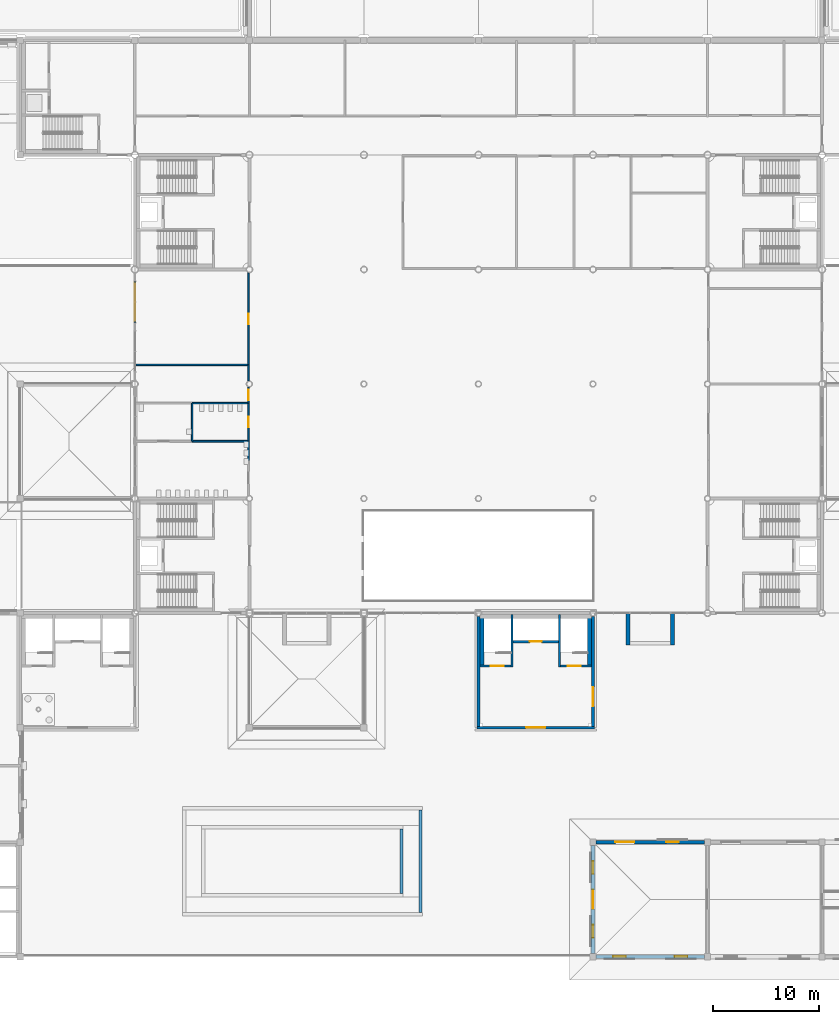
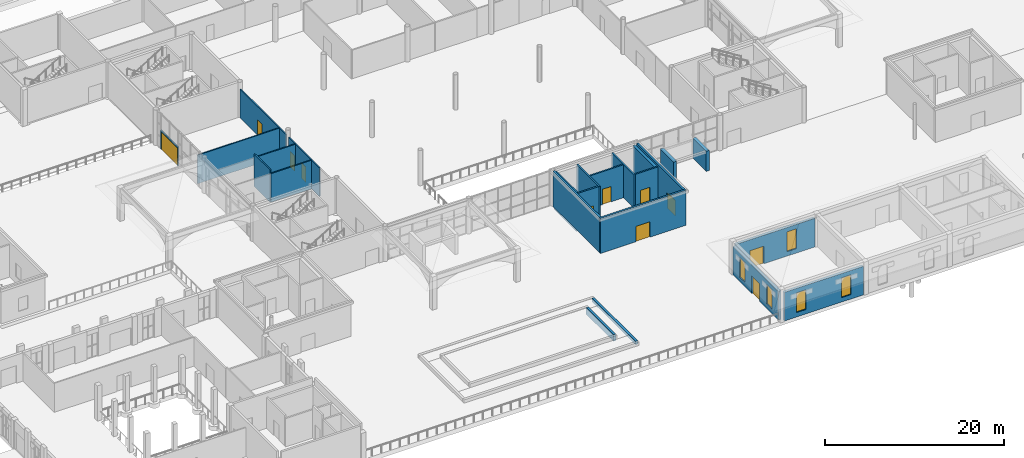
# One storey, part 47 of 91: 27 walls, 11 doors, 5 windows, 16 openings.
"""IFC4 building model written with IfcOpenShell, lengths in metres."""

from ifc_helpers import new_model, si_unit, direction, frame, frame_2d, origin, place, context, subcontext, project, spatial, rectangle, extrude, material, layer, layer_set, type_object, element, fill, save


model = new_model("IFC4")

# Units and contexts
model_context = context("Model", 3, precision=1e-05, world=origin(), true_north=direction((0.0, 1.0)))
body_context = subcontext(model_context, "Body", "Model", "MODEL_VIEW")
ifc_project = project(units=[si_unit("LENGTHUNIT", "METRE"), si_unit("AREAUNIT", "SQUARE_METRE"), si_unit("VOLUMEUNIT", "CUBIC_METRE"), si_unit("PLANEANGLEUNIT", "RADIAN"), si_unit("MASSUNIT", "GRAM", prefix="KILO")], contexts=[model_context])

# Site, building, storey
site_placement = place(None, origin())
site = spatial("IfcSite", under=ifc_project, at=site_placement, CompositionType="ELEMENT")
building_placement = place(site_placement, origin())
building = spatial("IfcBuilding", under=site, at=building_placement, Name="Magnolia Steps Interchange", CompositionType="ELEMENT")
storey_placement = place(building_placement, origin())
storey = spatial("IfcBuildingStorey", under=building, at=storey_placement, Name="L00", CompositionType="ELEMENT", Elevation=0.0)

# Wall, opening, door
ifc_material_1 = material(Name="Concrete C35", Category="concrete")
ifc_layer_1 = layer(ifc_material_1, 0.199951171875)
ifc_layer_set_1 = layer_set([ifc_layer_1], Name="Core enclosure wall 200")
wall_type_1 = type_object("IfcWallType", Name="Core enclosure wall 200", PredefinedType="SOLIDWALL", material=ifc_layer_set_1)
wall_1_placement = place(storey_placement, frame((85.72509765625, 37.39990234375, 0.0), z_axis=(0.0, 0.0, 1.0), x_axis=(1.0, 0.0, 0.0)))
wall_1 = element("IfcWall", 1, at=wall_1_placement, inside=storey, type_object=wall_type_1, Name="L00 BC2 enclosure wall", PredefinedType="SOLIDWALL", context=body_context, shape_type="SweptSolid", body=[
    extrude(rectangle(XDim=2.9248046875, YDim=0.199951171875, at=frame_2d((1.46240234375, 0.0))), origin(), (0.0, 0.0, 1.0), 4.5),
])
opening_1_placement = place(wall_1_placement, frame((1.050048828125, 0.0, 0.0)))
opening_1 = element("IfcOpeningElement", 2, at=opening_1_placement, cuts=wall_1, Name="Opening D-BC2-L00-1", PredefinedType="OPENING", context=body_context, shape_type="SweptSolid", body=[
    extrude(rectangle(XDim=1.199951171875, YDim=2.10009765625, at=frame_2d((0.60009765625, 1.050048828125))), frame((0.0, 0.10986328125, 0.0), z_axis=(0.0, -1.0, 0.0), x_axis=(1.0, 0.0, 0.0)), (0.0, 0.0, 1.0), 0.219970703125),
])
ifc_material_2 = material(Name="Painted steel", Category="steel")
door_type_1 = type_object("IfcDoorType", Name="Stair fire door 1200x2100", OperationType="NOTDEFINED", PredefinedType="DOOR", material=ifc_material_2)
door_1_placement = place(opening_1_placement, frame((1.199951171875, 0.0, 0.0), z_axis=(0.0, 0.0, 1.0), x_axis=(-1.0, 0.0, 0.0)))
door_1 = element("IfcDoor", 3, at=door_1_placement, inside=storey, type_object=door_type_1, Name="Stair door ST19 L00", OperationType="SINGLE_SWING_LEFT", OverallHeight=2.10009765625, OverallWidth=1.199951171875, PredefinedType="DOOR", context=body_context, shape_type="SweptSolid", body=[
    extrude(rectangle(XDim=1.199951171875, YDim=2.10009765625, at=frame_2d((0.60009765625, 1.050048828125))), frame((0.0, 0.02490234375, 0.0), z_axis=(0.0, -1.0, 0.0), x_axis=(1.0, 0.0, 0.0)), (0.0, 0.0, 1.0), 0.050048828125),
])
fill(opening_1, door_1)

# Wall
wall_2_placement = place(storey_placement, frame((88.75, 37.300048828125, 0.0), z_axis=(0.0, 0.0, 1.0), x_axis=(0.0, 1.0, 0.0)))
element("IfcWall", 4, at=wall_2_placement, inside=storey, type_object=wall_type_1, Name="L00 BC2 enclosure wall", PredefinedType="SOLIDWALL", context=body_context, shape_type="SweptSolid", body=[
    extrude(rectangle(XDim=4.974853515625, YDim=0.199951171875, at=frame_2d((2.4873046875, 0.0))), origin(), (0.0, 0.0, 1.0), 4.5),
])

# Wall, opening, door
wall_3_placement = place(storey_placement, frame((88.85009765625, 39.699951171875, 0.0), z_axis=(0.0, 0.0, 1.0), x_axis=(1.0, 0.0, 0.0)))
wall_3 = element("IfcWall", 5, at=wall_3_placement, inside=storey, type_object=wall_type_1, Name="L00 BC2 enclosure wall", PredefinedType="SOLIDWALL", context=body_context, shape_type="SweptSolid", body=[
    extrude(rectangle(XDim=4.2998046875, YDim=0.199951171875, at=frame_2d((2.14990234375, 0.0))), origin(), (0.0, 0.0, 1.0), 4.5),
])
opening_2_placement = place(wall_3_placement, frame((1.60009765625, 0.0, 0.0)))
opening_2 = element("IfcOpeningElement", 6, at=opening_2_placement, cuts=wall_3, Name="Opening LD", PredefinedType="OPENING", context=body_context, shape_type="SweptSolid", body=[
    extrude(rectangle(XDim=1.10009765625, YDim=2.10009765625, at=frame_2d((0.550048828125, 1.050048828125))), frame((0.0, 0.10986328125, 0.0), z_axis=(0.0, -1.0, 0.0), x_axis=(1.0, 0.0, 0.0)), (0.0, 0.0, 1.0), 0.219970703125),
])
ifc_material_3 = material(Name="Stainless steel grade 304", Category="steel")
door_type_2 = type_object("IfcDoorType", Name="Lift landing door 1100x2100", OperationType="DOUBLE_DOOR_SLIDING", PredefinedType="DOOR", material=ifc_material_3)
door_2_placement = place(opening_2_placement, frame((1.10009765625, 0.0, 0.0), z_axis=(0.0, 0.0, 1.0), x_axis=(-1.0, 0.0, 0.0)))
door_2 = element("IfcDoor", 7, at=door_2_placement, inside=storey, type_object=door_type_2, Name="Lift landing door LF9 L00", OperationType="DOUBLE_DOOR_SLIDING", OverallHeight=2.10009765625, OverallWidth=1.10009765625, PredefinedType="DOOR", context=body_context, shape_type="SweptSolid", body=[
    extrude(rectangle(XDim=1.10009765625, YDim=2.10009765625, at=frame_2d((0.550048828125, 1.050048828125))), frame((0.0, 0.02490234375, 0.0), z_axis=(0.0, -1.0, 0.0), x_axis=(1.0, 0.0, 0.0)), (0.0, 0.0, 1.0), 0.050048828125),
])
fill(opening_2, door_2)

# Wall
wall_4_placement = place(storey_placement, frame((93.25, 37.300048828125, 0.0), z_axis=(0.0, 0.0, 1.0), x_axis=(0.0, 1.0, 0.0)))
element("IfcWall", 8, at=wall_4_placement, inside=storey, type_object=wall_type_1, Name="L00 BC2 enclosure wall", PredefinedType="SOLIDWALL", context=body_context, shape_type="SweptSolid", body=[
    extrude(rectangle(XDim=4.974853515625, YDim=0.199951171875, at=frame_2d((2.4873046875, 0.0))), origin(), (0.0, 0.0, 1.0), 4.5),
])

# Wall, opening, door
wall_5_placement = place(storey_placement, frame((93.35009765625, 37.39990234375, 0.0), z_axis=(0.0, 0.0, 1.0), x_axis=(1.0, 0.0, 0.0)))
wall_5 = element("IfcWall", 9, at=wall_5_placement, inside=storey, type_object=wall_type_1, Name="L00 BC2 enclosure wall", PredefinedType="SOLIDWALL", context=body_context, shape_type="SweptSolid", body=[
    extrude(rectangle(XDim=2.9248046875, YDim=0.199951171875, at=frame_2d((1.46240234375, 0.0))), origin(), (0.0, 0.0, 1.0), 4.5),
])
opening_3_placement = place(wall_5_placement, frame((0.675048828125, 0.0, 0.0)))
opening_3 = element("IfcOpeningElement", 10, at=opening_3_placement, cuts=wall_5, Name="Opening D-BC2-L00-2", PredefinedType="OPENING", context=body_context, shape_type="SweptSolid", body=[
    extrude(rectangle(XDim=1.199951171875, YDim=2.10009765625, at=frame_2d((0.60009765625, 1.050048828125))), frame((0.0, 0.10986328125, 0.0), z_axis=(0.0, -1.0, 0.0), x_axis=(1.0, 0.0, 0.0)), (0.0, 0.0, 1.0), 0.219970703125),
])
door_3_placement = place(opening_3_placement, frame((1.199951171875, 0.0, 0.0), z_axis=(0.0, 0.0, 1.0), x_axis=(-1.0, 0.0, 0.0)))
door_3 = element("IfcDoor", 11, at=door_3_placement, inside=storey, type_object=door_type_1, Name="Stair door ST20 L00", OperationType="SINGLE_SWING_RIGHT", OverallHeight=2.10009765625, OverallWidth=1.199951171875, PredefinedType="DOOR", context=body_context, shape_type="SweptSolid", body=[
    extrude(rectangle(XDim=1.199951171875, YDim=2.10009765625, at=frame_2d((0.60009765625, 1.050048828125))), frame((0.0, 0.02490234375, 0.0), z_axis=(0.0, -1.0, 0.0), x_axis=(1.0, 0.0, 0.0)), (0.0, 0.0, 1.0), 0.050048828125),
])
fill(opening_3, door_3)

# Walls
ifc_material_4 = material(Name="Concrete C35", Category="concrete")
ifc_layer_2 = layer(ifc_material_4, 0.375)
ifc_layer_set_2 = layer_set([ifc_layer_2], Name="Core lining wall 375")
wall_type_2 = type_object("IfcWallType", Name="Core lining wall 375", PredefinedType="SOLIDWALL", material=ifc_layer_set_2)
for number, where, z_axis, x_axis, name in (
    (12, (85.91259765625, 37.300048828125, -0.60009765625), (0.0, 0.0, 1.0), (0.0, 1.0, 0.0), "L00 BC2 stair lining wall"),
    (13, (96.08740234375, 37.300048828125, -0.60009765625), (0.0, 0.0, 1.0), (0.0, 1.0, 0.0), "L00 BC2 stair lining wall"),
):
    element("IfcWall", number, at=place(storey_placement, frame(where, z_axis=z_axis, x_axis=x_axis)), inside=storey, type_object=wall_type_2, Name=name, PredefinedType="SOLIDWALL", context=body_context, shape_type="SweptSolid", body=[
        extrude(rectangle(XDim=4.974853515625, YDim=0.375, at=frame_2d((2.4873046875, 0.0))), origin(), (0.0, 0.0, 1.0), 5.10009765625),
    ])

# Wall, opening, door
ifc_material_5 = material(Name="Concrete C40", Category="concrete")
ifc_layer_3 = layer(ifc_material_5, 0.25)
ifc_layer_set_3 = layer_set([ifc_layer_3], Name="Core wall 250")
wall_type_3 = type_object("IfcWallType", Name="Core wall 250", PredefinedType="SOLIDWALL", material=ifc_layer_set_3)
wall_6_placement = place(storey_placement, frame((85.47509765625, 31.60009765625, 0.0), z_axis=(0.0, 0.0, 1.0), x_axis=(1.0, 0.0, 0.0)))
wall_6 = element("IfcWall", 14, at=wall_6_placement, inside=storey, type_object=wall_type_3, Name="Core wall BC2", PredefinedType="SOLIDWALL", context=body_context, shape_type="SweptSolid", body=[
    extrude(rectangle(XDim=11.0498046875, YDim=0.25, at=frame_2d((5.52490234375, 0.0))), origin(), (0.0, 0.0, 1.0), 4.800048828125),
])
opening_4_placement = place(wall_6_placement, frame((4.625, 0.0, 0.0)))
opening_4 = element("IfcOpeningElement", 15, at=opening_4_placement, cuts=wall_6, Name="Opening D-BC2-L00-3", PredefinedType="OPENING", context=body_context, shape_type="SweptSolid", body=[
    extrude(rectangle(XDim=1.800048828125, YDim=2.10009765625, at=frame_2d((0.89990234375, 1.050048828125))), frame((0.0, 0.135009765625, 0.0), z_axis=(0.0, -1.0, 0.0), x_axis=(1.0, 0.0, 0.0)), (0.0, 0.0, 1.0), 0.27001953125),
])
ifc_material_6 = material(Name="Timber and glass", Category="wood")
door_type_3 = type_object("IfcDoorType", Name="Core entrance door pair 1800x2100", OperationType="DOUBLE_DOOR_DOUBLE_SWING", PredefinedType="DOOR", material=ifc_material_6)
door_4_placement = place(opening_4_placement, frame((1.800048828125, 0.0, 0.0), z_axis=(0.0, 0.0, 1.0), x_axis=(-1.0, 0.0, 0.0)))
door_4 = element("IfcDoor", 16, at=door_4_placement, inside=storey, type_object=door_type_3, Name="Core entrance door BC2 L00", OperationType="DOUBLE_DOOR_DOUBLE_SWING", OverallHeight=2.10009765625, OverallWidth=1.800048828125, PredefinedType="DOOR", context=body_context, shape_type="SweptSolid", body=[
    extrude(rectangle(XDim=1.800048828125, YDim=2.10009765625, at=frame_2d((0.89990234375, 1.050048828125))), frame((0.0, 0.02490234375, 0.0), z_axis=(0.0, -1.0, 0.0), x_axis=(1.0, 0.0, 0.0)), (0.0, 0.0, 1.0), 0.050048828125),
])
fill(opening_4, door_4)

wall_7_placement = place(storey_placement, frame((96.39990234375, 31.72509765625, 0.0), z_axis=(0.0, 0.0, 1.0), x_axis=(0.0, 1.0, 0.0)))
wall_7 = element("IfcWall", 17, at=wall_7_placement, inside=storey, type_object=wall_type_3, Name="Core wall BC2", PredefinedType="SOLIDWALL", context=body_context, shape_type="SweptSolid", body=[
    extrude(rectangle(XDim=10.369873046875, YDim=0.25, at=frame_2d((5.18505859375, 0.0))), origin(), (0.0, 0.0, 1.0), 4.800048828125),
])
opening_5_placement = place(wall_7_placement, frame((1.887939453125, 0.0, 0.0)))
opening_5 = element("IfcOpeningElement", 18, at=opening_5_placement, cuts=wall_7, Name="Opening D-BC2-L00-4", PredefinedType="OPENING", context=body_context, shape_type="SweptSolid", body=[
    extrude(rectangle(XDim=1.800048828125, YDim=2.10009765625, at=frame_2d((0.89990234375, 1.050048828125))), frame((0.0, 0.135009765625, 0.0), z_axis=(0.0, -1.0, 0.0), x_axis=(1.0, 0.0, 0.0)), (0.0, 0.0, 1.0), 0.27001953125),
])
door_5_placement = place(opening_5_placement, frame((1.800048828125, 0.0, 0.0), z_axis=(0.0, 0.0, 1.0), x_axis=(-1.0, 0.0, 0.0)))
door_5 = element("IfcDoor", 19, at=door_5_placement, inside=storey, type_object=door_type_3, Name="Core entrance door BC2 L00", OperationType="DOUBLE_DOOR_DOUBLE_SWING", OverallHeight=2.10009765625, OverallWidth=1.800048828125, PredefinedType="DOOR", context=body_context, shape_type="SweptSolid", body=[
    extrude(rectangle(XDim=1.800048828125, YDim=2.10009765625, at=frame_2d((0.89990234375, 1.050048828125))), frame((0.0, 0.02490234375, 0.0), z_axis=(0.0, -1.0, 0.0), x_axis=(1.0, 0.0, 0.0)), (0.0, 0.0, 1.0), 0.050048828125),
])
fill(opening_5, door_5)

# Walls
wall_8_placement = place(storey_placement, frame((85.60009765625, 42.094970703125, 0.0), z_axis=(0.0, 0.0, 1.0), x_axis=(0.0, -1.0, 0.0)))
element("IfcWall", 20, at=wall_8_placement, inside=storey, type_object=wall_type_3, Name="Core wall BC2", PredefinedType="SOLIDWALL", context=body_context, shape_type="SweptSolid", body=[
    extrude(rectangle(XDim=10.369873046875, YDim=0.25, at=frame_2d((5.18505859375, 0.0))), origin(), (0.0, 0.0, 1.0), 4.800048828125),
])
ifc_material_7 = material(Name="Lime render on masonry", Category="masonry")
ifc_layer_4 = layer(ifc_material_7, 0.39990234375)
ifc_layer_set_4 = layer_set([ifc_layer_4], Name="Entrance porch pier wall 400")
wall_type_4 = type_object("IfcWallType", Name="Entrance porch pier wall 400", PredefinedType="SOLIDWALL", material=ifc_layer_set_4)
for number, where, z_axis, x_axis, name in (
    (21, (99.699951171875, 42.385986328125, 0.0), (0.0, 0.0, 1.0), (0.0, -1.0, 0.0), "Entrance porch pier 5W"),
    (22, (103.89990234375, 42.385986328125, 0.0), (0.0, 0.0, 1.0), (0.0, -1.0, 0.0), "Entrance porch pier 5E"),
):
    element("IfcWall", number, at=place(storey_placement, frame(where, z_axis=z_axis, x_axis=x_axis)), inside=storey, type_object=wall_type_4, Name=name, PredefinedType="SOLIDWALL", context=body_context, shape_type="SweptSolid", body=[
        extrude(rectangle(XDim=2.986083984375, YDim=0.39990234375, at=frame_2d((1.4931640625, 0.0))), origin(), (0.0, 0.0, 1.0), 2.75),
    ])

# Wall, opening, door
ifc_material_8 = material(Name="Powder-coated aluminium and glass", Category="aluminium")
ifc_layer_5 = layer(ifc_material_8, 0.14990234375)
ifc_layer_set_5 = layer_set([ifc_layer_5], Name="Glazed entrance frame wall 150")
wall_type_5 = type_object("IfcWallType", Name="Glazed entrance frame wall 150", PredefinedType="SOLIDWALL", material=ifc_layer_set_5)
wall_9_placement = place(storey_placement, frame((53.199951171875, 69.780029296875, 0.0), z_axis=(0.0, 0.0, 1.0), x_axis=(0.0, 1.0, 0.0)))
wall_9 = element("IfcWall", 23, at=wall_9_placement, inside=storey, type_object=wall_type_5, Name="EW/HALL/ENT/W3/L00/2", PredefinedType="SOLIDWALL", context=body_context, shape_type="SweptSolid", body=[
    extrude(rectangle(XDim=3.89990234375, YDim=0.14990234375, at=frame_2d((1.949951171875, 0.0))), origin(), (0.0, 0.0, 1.0), 2.60009765625),
])
opening_6_placement = place(wall_9_placement, frame((0.14990234375, 0.0, 0.0)))
opening_6 = element("IfcOpeningElement", 24, at=opening_6_placement, cuts=wall_9, Name="Opening E11", PredefinedType="OPENING", context=body_context, shape_type="SweptSolid", body=[
    extrude(rectangle(XDim=3.60009765625, YDim=2.39990234375, at=frame_2d((1.800048828125, 1.199951171875))), frame((0.0, 0.0849609375, 0.0), z_axis=(0.0, -1.0, 0.0), x_axis=(1.0, 0.0, 0.0)), (0.0, 0.0, 1.0), 0.169921875),
])
ifc_material_9 = material(Name="Aluminium and glass", Category="aluminium")
door_type_4 = type_object("IfcDoorType", Name="Glazed entrance door 3600 x 2400", OperationType="DOUBLE_DOOR_SLIDING", PredefinedType="DOOR", material=ifc_material_9)
door_6_placement = place(opening_6_placement, origin())
door_6 = element("IfcDoor", 25, at=door_6_placement, inside=storey, type_object=door_type_4, Name="Hall entrance doors W3-2", OperationType="DOUBLE_DOOR_SLIDING", OverallHeight=2.39990234375, OverallWidth=3.60009765625, PredefinedType="DOOR", context=body_context, shape_type="SweptSolid", body=[
    extrude(rectangle(XDim=3.60009765625, YDim=2.39990234375, at=frame_2d((1.800048828125, 1.199951171875))), frame((0.0, 0.02490234375, 0.0), z_axis=(0.0, -1.0, 0.0), x_axis=(1.0, 0.0, 0.0)), (0.0, 0.0, 1.0), 0.050048828125),
])
fill(opening_6, door_6)

# Wall, openings, windows
ifc_material_10 = material(Name="Lime render on masonry", Category="masonry")
ifc_layer_6 = layer(ifc_material_10, 0.35009765625)
ifc_layer_set_6 = layer_set([ifc_layer_6], Name="Lime render wall 350")
wall_type_6 = type_object("IfcWallType", Name="Lime render wall 350", PredefinedType="SOLIDWALL", material=ifc_layer_set_6)
wall_10_placement = place(storey_placement, frame((96.699951171875, 10.0, 0.0), z_axis=(0.0, 0.0, 1.0), x_axis=(1.0, 0.0, 0.0)))
wall_10 = element("IfcWall", 26, at=wall_10_placement, inside=storey, type_object=wall_type_6, Name="Pavilion south wall", PredefinedType="SOLIDWALL", context=body_context, shape_type="SweptSolid", body=[
    extrude(rectangle(XDim=10.199951171875, YDim=0.35009765625, at=frame_2d((5.10009765625, 0.0))), origin(), (0.0, 0.0, 1.0), 3.89990234375),
])
opening_7_placement = place(wall_10_placement, frame((1.60009765625, 0.0, 0.60009765625)))
opening_7 = element("IfcOpeningElement", 27, at=opening_7_placement, cuts=wall_10, Name="Opening WN20", PredefinedType="OPENING", context=body_context, shape_type="SweptSolid", body=[
    extrude(rectangle(XDim=1.199951171875, YDim=2.699951171875, at=frame_2d((0.60009765625, 1.35009765625))), frame((0.0, 0.18505859375, 0.0), z_axis=(0.0, -1.0, 0.0), x_axis=(1.0, 0.0, 0.0)), (0.0, 0.0, 1.0), 0.3701171875),
])
opening_8_placement = place(wall_10_placement, frame((7.39990234375, 0.0, 0.60009765625)))
opening_8 = element("IfcOpeningElement", 28, at=opening_8_placement, cuts=wall_10, Name="Opening WN20", PredefinedType="OPENING", context=body_context, shape_type="SweptSolid", body=[
    extrude(rectangle(XDim=1.199951171875, YDim=2.699951171875, at=frame_2d((0.60009765625, 1.35009765625))), frame((0.0, 0.18505859375, 0.0), z_axis=(0.0, -1.0, 0.0), x_axis=(1.0, 0.0, 0.0)), (0.0, 0.0, 1.0), 0.3701171875),
])
ifc_material_11 = material(Name="Timber frame with double glazing", Category="wood")
window_type = type_object("IfcWindowType", Name="Arched window 1200 x 2700", PartitioningType="SINGLE_PANEL", PredefinedType="WINDOW", material=ifc_material_11)
window_1_placement = place(opening_7_placement, origin())
window_1 = element("IfcWindow", 29, at=window_1_placement, inside=storey, type_object=window_type, Name="Pavilion window S1", OverallHeight=2.699951171875, OverallWidth=1.199951171875, PartitioningType="SINGLE_PANEL", PredefinedType="WINDOW", context=body_context, shape_type="SweptSolid", body=[
    extrude(rectangle(XDim=1.199951171875, YDim=2.699951171875, at=frame_2d((0.60009765625, 1.35009765625))), frame((0.0, 0.030029296875, 0.0), z_axis=(0.0, -1.0, 0.0), x_axis=(1.0, 0.0, 0.0)), (0.0, 0.0, 1.0), 0.06005859375),
])
fill(opening_7, window_1)
window_2_placement = place(opening_8_placement, origin())
window_2 = element("IfcWindow", 30, at=window_2_placement, inside=storey, type_object=window_type, Name="Pavilion window S2", OverallHeight=2.699951171875, OverallWidth=1.199951171875, PartitioningType="SINGLE_PANEL", PredefinedType="WINDOW", context=body_context, shape_type="SweptSolid", body=[
    extrude(rectangle(XDim=1.199951171875, YDim=2.699951171875, at=frame_2d((0.60009765625, 1.35009765625))), frame((0.0, 0.030029296875, 0.0), z_axis=(0.0, -1.0, 0.0), x_axis=(1.0, 0.0, 0.0)), (0.0, 0.0, 1.0), 0.06005859375),
])
fill(opening_8, window_2)

# Wall, openings, window, door
wall_11_placement = place(storey_placement, frame((96.699951171875, 20.800048828125, 0.0), z_axis=(0.0, 0.0, 1.0), x_axis=(1.0, 0.0, 0.0)))
wall_11 = element("IfcWall", 31, at=wall_11_placement, inside=storey, type_object=wall_type_6, Name="Pavilion north wall", PredefinedType="SOLIDWALL", context=body_context, shape_type="SweptSolid", body=[
    extrude(rectangle(XDim=10.199951171875, YDim=0.35009765625, at=frame_2d((5.10009765625, 0.0))), origin(), (0.0, 0.0, 1.0), 3.89990234375),
])
opening_9_placement = place(wall_11_placement, frame((1.800048828125, 0.0, 0.0)))
opening_9 = element("IfcOpeningElement", 32, at=opening_9_placement, cuts=wall_11, Name="Opening PS01", PredefinedType="OPENING", context=body_context, shape_type="SweptSolid", body=[
    extrude(rectangle(XDim=1.800048828125, YDim=2.39990234375, at=frame_2d((0.89990234375, 1.199951171875))), frame((0.0, 0.18505859375, 0.0), z_axis=(0.0, -1.0, 0.0), x_axis=(1.0, 0.0, 0.0)), (0.0, 0.0, 1.0), 0.3701171875),
])
opening_10_placement = place(wall_11_placement, frame((6.60009765625, 0.0, 0.60009765625)))
opening_10 = element("IfcOpeningElement", 33, at=opening_10_placement, cuts=wall_11, Name="Opening WN20", PredefinedType="OPENING", context=body_context, shape_type="SweptSolid", body=[
    extrude(rectangle(XDim=1.199951171875, YDim=2.699951171875, at=frame_2d((0.60009765625, 1.35009765625))), frame((0.0, 0.18505859375, 0.0), z_axis=(0.0, -1.0, 0.0), x_axis=(1.0, 0.0, 0.0)), (0.0, 0.0, 1.0), 0.3701171875),
])
window_3_placement = place(opening_10_placement, origin())
window_3 = element("IfcWindow", 34, at=window_3_placement, inside=storey, type_object=window_type, Name="Pavilion window N1", OverallHeight=2.699951171875, OverallWidth=1.199951171875, PartitioningType="SINGLE_PANEL", PredefinedType="WINDOW", context=body_context, shape_type="SweptSolid", body=[
    extrude(rectangle(XDim=1.199951171875, YDim=2.699951171875, at=frame_2d((0.60009765625, 1.35009765625))), frame((0.0, 0.030029296875, 0.0), z_axis=(0.0, -1.0, 0.0), x_axis=(1.0, 0.0, 0.0)), (0.0, 0.0, 1.0), 0.06005859375),
])
fill(opening_10, window_3)
ifc_material_12 = material(Name="Timber", Category="wood")
door_type_5 = type_object("IfcDoorType", Name="Timber double door 1800 x 2400", OperationType="DOUBLE_DOOR_DOUBLE_SWING", PredefinedType="DOOR", material=ifc_material_12)
door_7_placement = place(opening_9_placement, origin())
door_7 = element("IfcDoor", 35, at=door_7_placement, inside=storey, type_object=door_type_5, Name="Passenger hall entrance doors", OperationType="SINGLE_SWING_LEFT", OverallHeight=2.39990234375, OverallWidth=1.800048828125, PredefinedType="DOOR", context=body_context, shape_type="SweptSolid", body=[
    extrude(rectangle(XDim=1.800048828125, YDim=2.39990234375, at=frame_2d((0.89990234375, 1.199951171875))), frame((0.0, 0.02490234375, 0.0), z_axis=(0.0, -1.0, 0.0), x_axis=(1.0, 0.0, 0.0)), (0.0, 0.0, 1.0), 0.050048828125),
])
fill(opening_9, door_7)

# Wall, openings, windows, door
wall_12_placement = place(storey_placement, frame((96.39990234375, 10.300048828125, 0.0), z_axis=(0.0, 0.0, 1.0), x_axis=(0.0, 1.0, 0.0)))
wall_12 = element("IfcWall", 36, at=wall_12_placement, inside=storey, type_object=wall_type_6, Name="Pavilion west wall", PredefinedType="SOLIDWALL", context=body_context, shape_type="SweptSolid", body=[
    extrude(rectangle(XDim=10.199951171875, YDim=0.35009765625, at=frame_2d((5.10009765625, 0.0))), origin(), (0.0, 0.0, 1.0), 3.89990234375),
])
opening_11_placement = place(wall_12_placement, frame((1.5, 0.0, 0.60009765625)))
opening_11 = element("IfcOpeningElement", 37, at=opening_11_placement, cuts=wall_12, Name="Opening WN20", PredefinedType="OPENING", context=body_context, shape_type="SweptSolid", body=[
    extrude(rectangle(XDim=1.199951171875, YDim=2.699951171875, at=frame_2d((0.60009765625, 1.35009765625))), frame((0.0, 0.18505859375, 0.0), z_axis=(0.0, -1.0, 0.0), x_axis=(1.0, 0.0, 0.0)), (0.0, 0.0, 1.0), 0.3701171875),
])
opening_12_placement = place(wall_12_placement, frame((4.199951171875, 0.0, 0.0)))
opening_12 = element("IfcOpeningElement", 38, at=opening_12_placement, cuts=wall_12, Name="Opening PS04", PredefinedType="OPENING", context=body_context, shape_type="SweptSolid", body=[
    extrude(rectangle(XDim=1.800048828125, YDim=2.39990234375, at=frame_2d((0.89990234375, 1.199951171875))), frame((0.0, 0.18505859375, 0.0), z_axis=(0.0, -1.0, 0.0), x_axis=(1.0, 0.0, 0.0)), (0.0, 0.0, 1.0), 0.3701171875),
])
opening_13_placement = place(wall_12_placement, frame((7.5, 0.0, 0.60009765625)))
opening_13 = element("IfcOpeningElement", 39, at=opening_13_placement, cuts=wall_12, Name="Opening WN20", PredefinedType="OPENING", context=body_context, shape_type="SweptSolid", body=[
    extrude(rectangle(XDim=1.199951171875, YDim=2.699951171875, at=frame_2d((0.60009765625, 1.35009765625))), frame((0.0, 0.18505859375, 0.0), z_axis=(0.0, -1.0, 0.0), x_axis=(1.0, 0.0, 0.0)), (0.0, 0.0, 1.0), 0.3701171875),
])
window_4_placement = place(opening_11_placement, origin())
window_4 = element("IfcWindow", 40, at=window_4_placement, inside=storey, type_object=window_type, Name="Pavilion window W1", OverallHeight=2.699951171875, OverallWidth=1.199951171875, PartitioningType="SINGLE_PANEL", PredefinedType="WINDOW", context=body_context, shape_type="SweptSolid", body=[
    extrude(rectangle(XDim=1.199951171875, YDim=2.699951171875, at=frame_2d((0.60009765625, 1.35009765625))), frame((0.0, 0.030029296875, 0.0), z_axis=(0.0, -1.0, 0.0), x_axis=(1.0, 0.0, 0.0)), (0.0, 0.0, 1.0), 0.06005859375),
])
fill(opening_11, window_4)
window_5_placement = place(opening_13_placement, origin())
window_5 = element("IfcWindow", 41, at=window_5_placement, inside=storey, type_object=window_type, Name="Pavilion window W2", OverallHeight=2.699951171875, OverallWidth=1.199951171875, PartitioningType="SINGLE_PANEL", PredefinedType="WINDOW", context=body_context, shape_type="SweptSolid", body=[
    extrude(rectangle(XDim=1.199951171875, YDim=2.699951171875, at=frame_2d((0.60009765625, 1.35009765625))), frame((0.0, 0.030029296875, 0.0), z_axis=(0.0, -1.0, 0.0), x_axis=(1.0, 0.0, 0.0)), (0.0, 0.0, 1.0), 0.06005859375),
])
fill(opening_13, window_5)
door_8_placement = place(opening_12_placement, origin())
door_8 = element("IfcDoor", 42, at=door_8_placement, inside=storey, type_object=door_type_5, Name="Passenger hall side doors", OperationType="SINGLE_SWING_LEFT", OverallHeight=2.39990234375, OverallWidth=1.800048828125, PredefinedType="DOOR", context=body_context, shape_type="SweptSolid", body=[
    extrude(rectangle(XDim=1.800048828125, YDim=2.39990234375, at=frame_2d((0.89990234375, 1.199951171875))), frame((0.0, 0.02490234375, 0.0), z_axis=(0.0, -1.0, 0.0), x_axis=(1.0, 0.0, 0.0)), (0.0, 0.0, 1.0), 0.050048828125),
])
fill(opening_12, door_8)

# Wall
ifc_material_13 = material(Name="Fair-faced blockwork", Category="masonry")
ifc_layer_7 = layer(ifc_material_13, 0.14990234375)
ifc_layer_set_7 = layer_set([ifc_layer_7], Name="Partition wall 150")
wall_type_7 = type_object("IfcWallType", Name="Partition wall 150", PredefinedType="PARTITIONING", material=ifc_layer_set_7)
wall_13_placement = place(storey_placement, frame((63.925048828125, 56.800048828125, 0.0), z_axis=(0.0, 0.0, 1.0), x_axis=(0.0, 1.0, 0.0)))
element("IfcWall", 43, at=wall_13_placement, inside=storey, type_object=wall_type_7, Name="L00 partition 20", PredefinedType="PARTITIONING", context=body_context, shape_type="SweptSolid", body=[
    extrude(rectangle(XDim=1.800048828125, YDim=0.14990234375, at=frame_2d((0.89990234375, 0.0))), origin(), (0.0, 0.0, 1.0), 3.89990234375),
])

# Wall, opening, door
wall_14_placement = place(storey_placement, frame((63.925048828125, 58.60009765625, 0.0), z_axis=(0.0, 0.0, 1.0), x_axis=(0.0, 1.0, 0.0)))
wall_14 = element("IfcWall", 44, at=wall_14_placement, inside=storey, type_object=wall_type_7, Name="L00 partition 21", PredefinedType="PARTITIONING", context=body_context, shape_type="SweptSolid", body=[
    extrude(rectangle(XDim=3.599853515625, YDim=0.14990234375, at=frame_2d((1.7998046875, 0.0))), origin(), (0.0, 0.0, 1.0), 3.89990234375),
])
opening_14_placement = place(wall_14_placement, frame((1.300048828125, 0.0, 0.0)))
opening_14 = element("IfcOpeningElement", 45, at=opening_14_placement, cuts=wall_14, Name="Opening D-L00-10", PredefinedType="OPENING", context=body_context, shape_type="SweptSolid", body=[
    extrude(rectangle(XDim=1.0, YDim=2.10009765625, at=frame_2d((0.5, 1.050048828125))), frame((0.0, 0.0849609375, 0.0), z_axis=(0.0, -1.0, 0.0), x_axis=(1.0, 0.0, 0.0)), (0.0, 0.0, 1.0), 0.169921875),
])
ifc_material_14 = material(Name="Timber", Category="wood")
door_type_6 = type_object("IfcDoorType", Name="Room door 1000x2100", OperationType="NOTDEFINED", PredefinedType="DOOR", material=ifc_material_14)
door_9_placement = place(opening_14_placement, origin())
door_9 = element("IfcDoor", 46, at=door_9_placement, inside=storey, type_object=door_type_6, Name="Changing Places Toilet door", OperationType="SINGLE_SWING_RIGHT", OverallHeight=2.10009765625, OverallWidth=1.0, PredefinedType="DOOR", context=body_context, shape_type="SweptSolid", body=[
    extrude(rectangle(XDim=1.0, YDim=2.10009765625, at=frame_2d((0.5, 1.050048828125))), frame((0.0, 0.02490234375, 0.0), z_axis=(0.0, -1.0, 0.0), x_axis=(1.0, 0.0, 0.0)), (0.0, 0.0, 1.0), 0.050048828125),
])
fill(opening_14, door_9)

wall_15_placement = place(storey_placement, frame((63.925048828125, 62.199951171875, 0.0), z_axis=(0.0, 0.0, 1.0), x_axis=(0.0, 1.0, 0.0)))
wall_15 = element("IfcWall", 47, at=wall_15_placement, inside=storey, type_object=wall_type_7, Name="L00 partition 22", PredefinedType="PARTITIONING", context=body_context, shape_type="SweptSolid", body=[
    extrude(rectangle(XDim=1.510498046875, YDim=0.14990234375, at=frame_2d((0.75537109375, 0.0))), origin(), (0.0, 0.0, 1.0), 3.89990234375),
])
opening_15_placement = place(wall_15_placement, frame((0.255126953125, 0.0, 0.0)))
opening_15 = element("IfcOpeningElement", 48, at=opening_15_placement, cuts=wall_15, Name="Opening D-L00-11", PredefinedType="OPENING", context=body_context, shape_type="SweptSolid", body=[
    extrude(rectangle(XDim=1.0, YDim=2.10009765625, at=frame_2d((0.5, 1.050048828125))), frame((0.0, 0.0849609375, 0.0), z_axis=(0.0, -1.0, 0.0), x_axis=(1.0, 0.0, 0.0)), (0.0, 0.0, 1.0), 0.169921875),
])
door_10_placement = place(opening_15_placement, origin())
door_10 = element("IfcDoor", 49, at=door_10_placement, inside=storey, type_object=door_type_6, Name="Mother and Baby Room door", OperationType="SINGLE_SWING_LEFT", OverallHeight=2.10009765625, OverallWidth=1.0, PredefinedType="DOOR", context=body_context, shape_type="SweptSolid", body=[
    extrude(rectangle(XDim=1.0, YDim=2.10009765625, at=frame_2d((0.5, 1.050048828125))), frame((0.0, 0.02490234375, 0.0), z_axis=(0.0, -1.0, 0.0), x_axis=(1.0, 0.0, 0.0)), (0.0, 0.0, 1.0), 0.050048828125),
])
fill(opening_15, door_10)

# Wall
wall_16_placement = place(storey_placement, frame((63.925048828125, 64.28955078125, 0.0), z_axis=(0.0, 0.0, 1.0), x_axis=(0.0, 1.0, 0.0)))
element("IfcWall", 50, at=wall_16_placement, inside=storey, type_object=wall_type_7, Name="L00 partition 32", PredefinedType="PARTITIONING", context=body_context, shape_type="SweptSolid", body=[
    extrude(rectangle(XDim=1.510498046875, YDim=0.14990234375, at=frame_2d((0.75537109375, 0.0))), origin(), (0.0, 0.0, 1.0), 3.89990234375),
])

# Wall, opening, door
wall_17_placement = place(storey_placement, frame((63.925048828125, 65.800048828125, 0.0), z_axis=(0.0, 0.0, 1.0), x_axis=(0.0, 1.0, 0.0)))
wall_17 = element("IfcWall", 51, at=wall_17_placement, inside=storey, type_object=wall_type_7, Name="L00 partition 33", PredefinedType="PARTITIONING", context=body_context, shape_type="SweptSolid", body=[
    extrude(rectangle(XDim=8.68408203125, YDim=0.14990234375, at=frame_2d((4.342041015625, 0.0))), origin(), (0.0, 0.0, 1.0), 3.89990234375),
])
opening_16_placement = place(wall_17_placement, frame((3.842041015625, 0.0, 0.0)))
opening_16 = element("IfcOpeningElement", 52, at=opening_16_placement, cuts=wall_17, Name="Opening D-L00-12", PredefinedType="OPENING", context=body_context, shape_type="SweptSolid", body=[
    extrude(rectangle(XDim=1.0, YDim=2.10009765625, at=frame_2d((0.5, 1.050048828125))), frame((0.0, 0.0849609375, 0.0), z_axis=(0.0, -1.0, 0.0), x_axis=(1.0, 0.0, 0.0)), (0.0, 0.0, 1.0), 0.169921875),
])
door_11_placement = place(opening_16_placement, origin())
door_11 = element("IfcDoor", 53, at=door_11_placement, inside=storey, type_object=door_type_6, Name="Retail Unit 1 door", OperationType="SINGLE_SWING_LEFT", OverallHeight=2.10009765625, OverallWidth=1.0, PredefinedType="DOOR", context=body_context, shape_type="SweptSolid", body=[
    extrude(rectangle(XDim=1.0, YDim=2.10009765625, at=frame_2d((0.5, 1.050048828125))), frame((0.0, 0.02490234375, 0.0), z_axis=(0.0, -1.0, 0.0), x_axis=(1.0, 0.0, 0.0)), (0.0, 0.0, 1.0), 0.050048828125),
])
fill(opening_16, door_11)

# Walls
wall_18_placement = place(storey_placement, frame((58.60009765625, 58.60009765625, 0.0), z_axis=(0.0, 0.0, 1.0), x_axis=(1.0, 0.0, 0.0)))
element("IfcWall", 54, at=wall_18_placement, inside=storey, type_object=wall_type_7, Name="L00 partition 37", PredefinedType="PARTITIONING", context=body_context, shape_type="SweptSolid", body=[
    extrude(rectangle(XDim=5.39990234375, YDim=0.14990234375, at=frame_2d((2.699951171875, 0.0))), origin(), (0.0, 0.0, 1.0), 3.89990234375),
])
wall_19_placement = place(storey_placement, frame((58.60009765625, 58.60009765625, 0.0), z_axis=(0.0, 0.0, 1.0), x_axis=(0.0, 1.0, 0.0)))
element("IfcWall", 55, at=wall_19_placement, inside=storey, type_object=wall_type_7, Name="L00 partition 38", PredefinedType="PARTITIONING", context=body_context, shape_type="SweptSolid", body=[
    extrude(rectangle(XDim=3.599853515625, YDim=0.14990234375, at=frame_2d((1.7998046875, 0.0))), origin(), (0.0, 0.0, 1.0), 4.39990234375),
])
wall_20_placement = place(storey_placement, frame((58.60009765625, 62.199951171875, 0.0), z_axis=(0.0, 0.0, 1.0), x_axis=(1.0, 0.0, 0.0)))
element("IfcWall", 56, at=wall_20_placement, inside=storey, type_object=wall_type_7, Name="L00 partition 40", PredefinedType="PARTITIONING", context=body_context, shape_type="SweptSolid", body=[
    extrude(rectangle(XDim=5.39990234375, YDim=0.14990234375, at=frame_2d((2.699951171875, 0.0))), origin(), (0.0, 0.0, 1.0), 3.89990234375),
])
wall_21_placement = place(storey_placement, frame((53.300048828125, 65.800048828125, 0.0), z_axis=(0.0, 0.0, 1.0), x_axis=(1.0, 0.0, 0.0)))
element("IfcWall", 57, at=wall_21_placement, inside=storey, type_object=wall_type_7, Name="L00 partition 41", PredefinedType="PARTITIONING", context=body_context, shape_type="SweptSolid", body=[
    extrude(rectangle(XDim=10.699951171875, YDim=0.14990234375, at=frame_2d((5.35009765625, 0.0))), origin(), (0.0, 0.0, 1.0), 3.89990234375),
])
ifc_material_15 = material(Name="Lime render on masonry", Category="masonry")
ifc_layer_8 = layer(ifc_material_15, 0.300048828125)
ifc_layer_set_8 = layer_set([ifc_layer_8], Name="Planter wall 300")
wall_type_8 = type_object("IfcWallType", Name="Planter wall 300", PredefinedType="PARAPET", material=ifc_layer_set_8)
wall_22_placement = place(storey_placement, frame((80.14990234375, 14.14990234375, 0.0), z_axis=(0.0, 0.0, 1.0), x_axis=(0.0, 1.0, 0.0)))
element("IfcWall", 58, at=wall_22_placement, inside=storey, type_object=wall_type_8, Name="Forecourt garden bed 1 wall E", PredefinedType="PARAPET", context=body_context, shape_type="SweptSolid", body=[
    extrude(rectangle(XDim=9.7001953125, YDim=0.300048828125, at=frame_2d((4.85009765625, 0.0))), origin(), (0.0, 0.0, 1.0), 0.449951171875),
])
wall_23_placement = place(storey_placement, frame((78.35009765625, 15.949951171875, 0.0), z_axis=(0.0, 0.0, 1.0), x_axis=(0.0, 1.0, 0.0)))
element("IfcWall", 59, at=wall_23_placement, inside=storey, type_object=wall_type_8, Name="Forecourt garden bed 1 inner wall E", PredefinedType="PARAPET", context=body_context, shape_type="SweptSolid", body=[
    extrude(rectangle(XDim=6.10009765625, YDim=0.300048828125, at=frame_2d((3.050048828125, 0.0))), origin(), (0.0, 0.0, 1.0), 0.89990234375),
])

save(model, "model.ifc")
